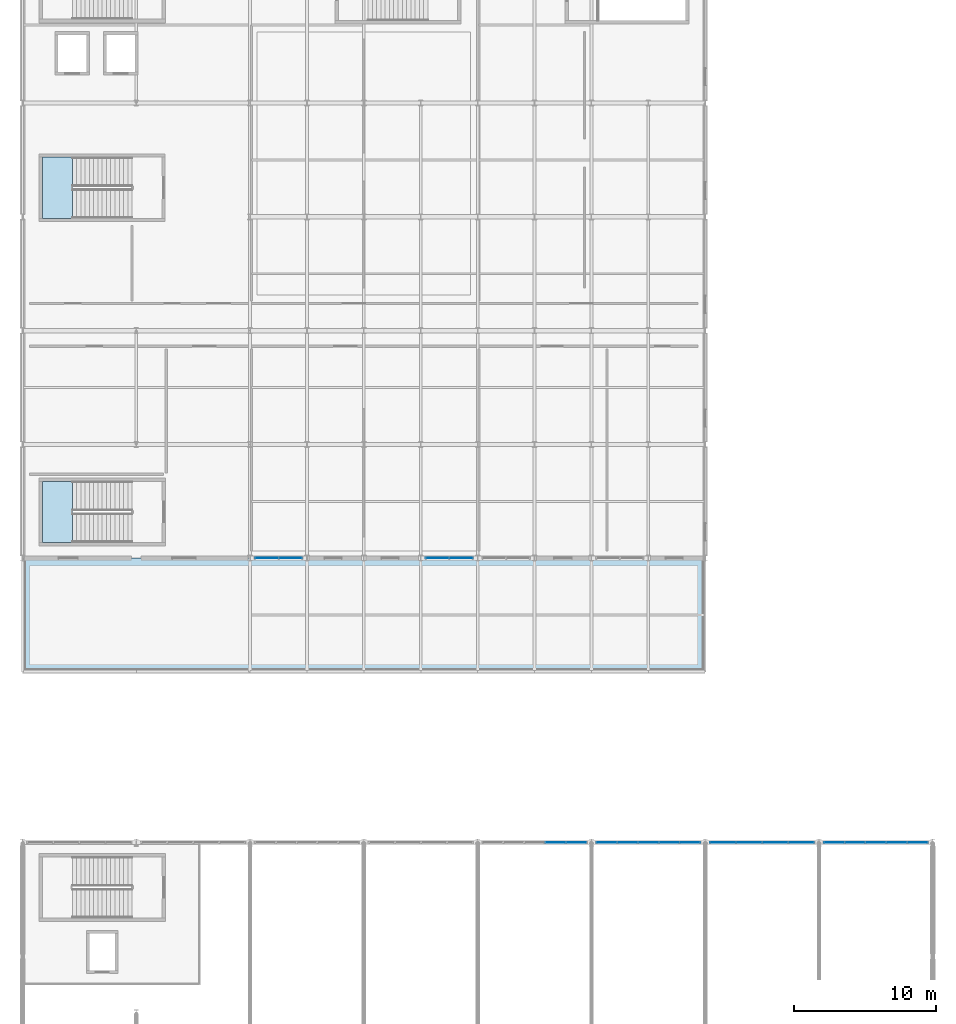
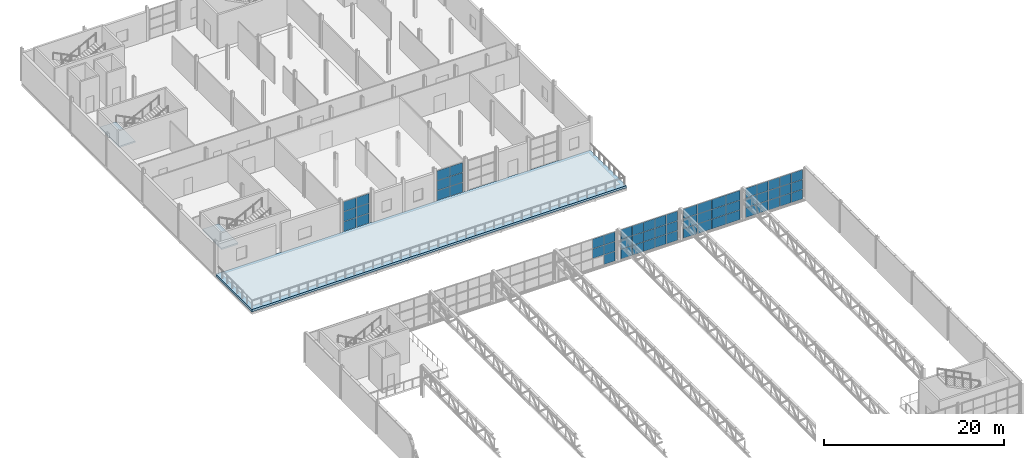
# One storey, part 56 of 67: 59 plates, 3 slabs, 8 elements without a shape of their own.
"""IFC4 building model written with IfcOpenShell, lengths in metres."""

from ifc_helpers import new_model, si_unit, derived_unit, direction, frame, origin, origin_2d, place, context, subcontext, project, spatial, polyline, rectangle, outline, extrude, material, layer, layer_set, type_object, element, aggregate, save


model = new_model("IFC4")

# Units and contexts
model_context = context("Model", 3, precision=1e-05, world=origin(), true_north=direction((0.0, 1.0)))
body_context = subcontext(model_context, "Body", "Model", "MODEL_VIEW")
ifc_project = project(units=[si_unit("LENGTHUNIT", "METRE"), si_unit("AREAUNIT", "SQUARE_METRE"), si_unit("VOLUMEUNIT", "CUBIC_METRE"), si_unit("PLANEANGLEUNIT", "RADIAN"), si_unit("MASSUNIT", "GRAM", prefix="KILO"), derived_unit("THERMALTRANSMITTANCEUNIT", [(si_unit("POWERUNIT", "WATT"), 1), (si_unit("LENGTHUNIT", "METRE"), -2), (si_unit("THERMODYNAMICTEMPERATUREUNIT", "KELVIN"), -1)])], contexts=[model_context])

# Site, building, storey
site_placement = place(None, origin())
site = spatial("IfcSite", under=ifc_project, at=site_placement, CompositionType="ELEMENT")
building_placement = place(site_placement, origin())
building = spatial("IfcBuilding", under=site, at=building_placement, Name="Keldorne Ridge Multi-Sports Centre", CompositionType="ELEMENT")
storey_placement = place(building_placement, frame((0.0, 0.0, 14.0)))
storey = spatial("IfcBuildingStorey", under=building, at=storey_placement, Name="L03", CompositionType="ELEMENT", Elevation=14.0)

# Curtain wall, plates
ifc_material_1 = material(Name="Anodized aluminium", Category="aluminium")
curtain_wall_type_1 = type_object("IfcCurtainWallType", Name="CW-CW-06", PredefinedType="NOTDEFINED", material=ifc_material_1)
curtain_wall_1_placement = place(storey_placement, origin())
curtain_wall_1 = element("IfcCurtainWall", 1, at=curtain_wall_1_placement, inside=storey, type_object=curtain_wall_type_1, Name="Upper Courts north clerestory 118", PredefinedType="NOTDEFINED")
ifc_material_2 = material(Name="Double low-e insulated glazing", Category="glass")
ifc_layer_1 = layer(ifc_material_2, 0.035888671875)
ifc_layer_set_1 = layer_set([ifc_layer_1])
plate_type = type_object("IfcPlateType", Name="PLT-GL-01", PredefinedType="CURTAIN_PANEL", material=ifc_layer_set_1)
plate_1_placement = place(storey_placement, frame((142.927978515625, 54.0, 0.02001953125), z_axis=(0.0, 0.0, 1.0), x_axis=(-1.0, 0.0, 0.0)))
plate_1 = element("IfcPlate", 2, at=plate_1_placement, type_object=plate_type, Name="CW-118 glazed panel 1.1", PredefinedType="CURTAIN_PANEL", context=body_context, shape_type="SweptSolid", body=[
    extrude(rectangle(XDim=1.424072265625, YDim=0.035888671875, at=origin_2d()), origin(), (0.0, 0.0, 1.0), 1.293212890625),
])
plate_2_placement = place(storey_placement, frame((142.927978515625, 54.0, 1.353515625), z_axis=(0.0, 0.0, 1.0), x_axis=(-1.0, 0.0, 0.0)))
plate_2 = element("IfcPlate", 3, at=plate_2_placement, type_object=plate_type, Name="CW-118 glazed panel 1.2", PredefinedType="CURTAIN_PANEL", context=body_context, shape_type="SweptSolid", body=[
    extrude(rectangle(XDim=1.424072265625, YDim=0.035888671875, at=origin_2d()), origin(), (0.0, 0.0, 1.0), 1.293212890625),
])
plate_3_placement = place(storey_placement, frame((142.927978515625, 54.0, 2.6865234375), z_axis=(0.0, 0.0, 1.0), x_axis=(-1.0, 0.0, 0.0)))
plate_3 = element("IfcPlate", 4, at=plate_3_placement, type_object=plate_type, Name="CW-118 glazed panel 1.3", PredefinedType="CURTAIN_PANEL", context=body_context, shape_type="SweptSolid", body=[
    extrude(rectangle(XDim=1.424072265625, YDim=0.035888671875, at=origin_2d()), origin(), (0.0, 0.0, 1.0), 1.293212890625),
])
plate_4_placement = place(storey_placement, frame((141.464111328125, 54.0, 1.353515625), z_axis=(0.0, 0.0, 1.0), x_axis=(-1.0, 0.0, 0.0)))
plate_4 = element("IfcPlate", 5, at=plate_4_placement, type_object=plate_type, Name="CW-118 glazed panel 2.2", PredefinedType="CURTAIN_PANEL", context=body_context, shape_type="SweptSolid", body=[
    extrude(rectangle(XDim=1.424072265625, YDim=0.035888671875, at=origin_2d()), origin(), (0.0, 0.0, 1.0), 1.293212890625),
])
plate_5_placement = place(storey_placement, frame((141.464111328125, 54.0, 2.6865234375), z_axis=(0.0, 0.0, 1.0), x_axis=(-1.0, 0.0, 0.0)))
plate_5 = element("IfcPlate", 6, at=plate_5_placement, type_object=plate_type, Name="CW-118 glazed panel 2.3", PredefinedType="CURTAIN_PANEL", context=body_context, shape_type="SweptSolid", body=[
    extrude(rectangle(XDim=1.424072265625, YDim=0.035888671875, at=origin_2d()), origin(), (0.0, 0.0, 1.0), 1.293212890625),
])
aggregate(curtain_wall_1, [plate_1, plate_2, plate_3, plate_4, plate_5])

curtain_wall_type_2 = type_object("IfcCurtainWallType", Name="CW-CW-04", PredefinedType="NOTDEFINED", material=ifc_material_1)
curtain_wall_2_placement = place(storey_placement, origin())
curtain_wall_2 = element("IfcCurtainWall", 7, at=curtain_wall_2_placement, inside=storey, type_object=curtain_wall_type_2, Name="Upper Courts north clerestory 124", PredefinedType="NOTDEFINED")
plate_6_placement = place(storey_placement, frame((150.927978515625, 54.0, 0.02001953125), z_axis=(0.0, 0.0, 1.0), x_axis=(-1.0, 0.0, 0.0)))
plate_6 = element("IfcPlate", 8, at=plate_6_placement, type_object=plate_type, Name="CW-124 glazed panel 1.1", PredefinedType="CURTAIN_PANEL", context=body_context, shape_type="SweptSolid", body=[
    extrude(rectangle(XDim=1.424072265625, YDim=0.035888671875, at=origin_2d()), origin(), (0.0, 0.0, 1.0), 1.293212890625),
])
plate_7_placement = place(storey_placement, frame((150.927978515625, 54.0, 1.353515625), z_axis=(0.0, 0.0, 1.0), x_axis=(-1.0, 0.0, 0.0)))
plate_7 = element("IfcPlate", 9, at=plate_7_placement, type_object=plate_type, Name="CW-124 glazed panel 1.2", PredefinedType="CURTAIN_PANEL", context=body_context, shape_type="SweptSolid", body=[
    extrude(rectangle(XDim=1.424072265625, YDim=0.035888671875, at=origin_2d()), origin(), (0.0, 0.0, 1.0), 1.293212890625),
])
plate_8_placement = place(storey_placement, frame((150.927978515625, 54.0, 2.6865234375), z_axis=(0.0, 0.0, 1.0), x_axis=(-1.0, 0.0, 0.0)))
plate_8 = element("IfcPlate", 10, at=plate_8_placement, type_object=plate_type, Name="CW-124 glazed panel 1.3", PredefinedType="CURTAIN_PANEL", context=body_context, shape_type="SweptSolid", body=[
    extrude(rectangle(XDim=1.424072265625, YDim=0.035888671875, at=origin_2d()), origin(), (0.0, 0.0, 1.0), 1.293212890625),
])
plate_9_placement = place(storey_placement, frame((149.464111328125, 54.0, 0.02001953125), z_axis=(0.0, 0.0, 1.0), x_axis=(-1.0, 0.0, 0.0)))
plate_9 = element("IfcPlate", 11, at=plate_9_placement, type_object=plate_type, Name="CW-124 glazed panel 2.1", PredefinedType="CURTAIN_PANEL", context=body_context, shape_type="SweptSolid", body=[
    extrude(rectangle(XDim=1.424072265625, YDim=0.035888671875, at=origin_2d()), origin(), (0.0, 0.0, 1.0), 1.293212890625),
])
plate_10_placement = place(storey_placement, frame((149.464111328125, 54.0, 1.353515625), z_axis=(0.0, 0.0, 1.0), x_axis=(-1.0, 0.0, 0.0)))
plate_10 = element("IfcPlate", 12, at=plate_10_placement, type_object=plate_type, Name="CW-124 glazed panel 2.2", PredefinedType="CURTAIN_PANEL", context=body_context, shape_type="SweptSolid", body=[
    extrude(rectangle(XDim=1.424072265625, YDim=0.035888671875, at=origin_2d()), origin(), (0.0, 0.0, 1.0), 1.293212890625),
])
plate_11_placement = place(storey_placement, frame((149.464111328125, 54.0, 2.6865234375), z_axis=(0.0, 0.0, 1.0), x_axis=(-1.0, 0.0, 0.0)))
plate_11 = element("IfcPlate", 13, at=plate_11_placement, type_object=plate_type, Name="CW-124 glazed panel 2.3", PredefinedType="CURTAIN_PANEL", context=body_context, shape_type="SweptSolid", body=[
    extrude(rectangle(XDim=1.424072265625, YDim=0.035888671875, at=origin_2d()), origin(), (0.0, 0.0, 1.0), 1.293212890625),
])
plate_12_placement = place(storey_placement, frame((148.0, 54.0, 0.02001953125), z_axis=(0.0, 0.0, 1.0), x_axis=(-1.0, 0.0, 0.0)))
plate_12 = element("IfcPlate", 14, at=plate_12_placement, type_object=plate_type, Name="CW-124 glazed panel 3.1", PredefinedType="CURTAIN_PANEL", context=body_context, shape_type="SweptSolid", body=[
    extrude(rectangle(XDim=1.424072265625, YDim=0.035888671875, at=origin_2d()), origin(), (0.0, 0.0, 1.0), 1.293212890625),
])
plate_13_placement = place(storey_placement, frame((148.0, 54.0, 1.353515625), z_axis=(0.0, 0.0, 1.0), x_axis=(-1.0, 0.0, 0.0)))
plate_13 = element("IfcPlate", 15, at=plate_13_placement, type_object=plate_type, Name="CW-124 glazed panel 3.2", PredefinedType="CURTAIN_PANEL", context=body_context, shape_type="SweptSolid", body=[
    extrude(rectangle(XDim=1.424072265625, YDim=0.035888671875, at=origin_2d()), origin(), (0.0, 0.0, 1.0), 1.293212890625),
])
plate_14_placement = place(storey_placement, frame((148.0, 54.0, 2.6865234375), z_axis=(0.0, 0.0, 1.0), x_axis=(-1.0, 0.0, 0.0)))
plate_14 = element("IfcPlate", 16, at=plate_14_placement, type_object=plate_type, Name="CW-124 glazed panel 3.3", PredefinedType="CURTAIN_PANEL", context=body_context, shape_type="SweptSolid", body=[
    extrude(rectangle(XDim=1.424072265625, YDim=0.035888671875, at=origin_2d()), origin(), (0.0, 0.0, 1.0), 1.293212890625),
])
plate_15_placement = place(storey_placement, frame((146.535888671875, 54.0, 0.02001953125), z_axis=(0.0, 0.0, 1.0), x_axis=(-1.0, 0.0, 0.0)))
plate_15 = element("IfcPlate", 17, at=plate_15_placement, type_object=plate_type, Name="CW-124 glazed panel 4.1", PredefinedType="CURTAIN_PANEL", context=body_context, shape_type="SweptSolid", body=[
    extrude(rectangle(XDim=1.424072265625, YDim=0.035888671875, at=origin_2d()), origin(), (0.0, 0.0, 1.0), 1.293212890625),
])
plate_16_placement = place(storey_placement, frame((146.535888671875, 54.0, 1.353515625), z_axis=(0.0, 0.0, 1.0), x_axis=(-1.0, 0.0, 0.0)))
plate_16 = element("IfcPlate", 18, at=plate_16_placement, type_object=plate_type, Name="CW-124 glazed panel 4.2", PredefinedType="CURTAIN_PANEL", context=body_context, shape_type="SweptSolid", body=[
    extrude(rectangle(XDim=1.424072265625, YDim=0.035888671875, at=origin_2d()), origin(), (0.0, 0.0, 1.0), 1.293212890625),
])
plate_17_placement = place(storey_placement, frame((146.535888671875, 54.0, 2.6865234375), z_axis=(0.0, 0.0, 1.0), x_axis=(-1.0, 0.0, 0.0)))
plate_17 = element("IfcPlate", 19, at=plate_17_placement, type_object=plate_type, Name="CW-124 glazed panel 4.3", PredefinedType="CURTAIN_PANEL", context=body_context, shape_type="SweptSolid", body=[
    extrude(rectangle(XDim=1.424072265625, YDim=0.035888671875, at=origin_2d()), origin(), (0.0, 0.0, 1.0), 1.293212890625),
])
plate_18_placement = place(storey_placement, frame((145.072021484375, 54.0, 0.02001953125), z_axis=(0.0, 0.0, 1.0), x_axis=(-1.0, 0.0, 0.0)))
plate_18 = element("IfcPlate", 20, at=plate_18_placement, type_object=plate_type, Name="CW-124 glazed panel 5.1", PredefinedType="CURTAIN_PANEL", context=body_context, shape_type="SweptSolid", body=[
    extrude(rectangle(XDim=1.424072265625, YDim=0.035888671875, at=origin_2d()), origin(), (0.0, 0.0, 1.0), 1.293212890625),
])
plate_19_placement = place(storey_placement, frame((145.072021484375, 54.0, 1.353515625), z_axis=(0.0, 0.0, 1.0), x_axis=(-1.0, 0.0, 0.0)))
plate_19 = element("IfcPlate", 21, at=plate_19_placement, type_object=plate_type, Name="CW-124 glazed panel 5.2", PredefinedType="CURTAIN_PANEL", context=body_context, shape_type="SweptSolid", body=[
    extrude(rectangle(XDim=1.424072265625, YDim=0.035888671875, at=origin_2d()), origin(), (0.0, 0.0, 1.0), 1.293212890625),
])
plate_20_placement = place(storey_placement, frame((145.072021484375, 54.0, 2.6865234375), z_axis=(0.0, 0.0, 1.0), x_axis=(-1.0, 0.0, 0.0)))
plate_20 = element("IfcPlate", 22, at=plate_20_placement, type_object=plate_type, Name="CW-124 glazed panel 5.3", PredefinedType="CURTAIN_PANEL", context=body_context, shape_type="SweptSolid", body=[
    extrude(rectangle(XDim=1.424072265625, YDim=0.035888671875, at=origin_2d()), origin(), (0.0, 0.0, 1.0), 1.293212890625),
])
aggregate(curtain_wall_2, [plate_6, plate_7, plate_8, plate_9, plate_10, plate_11, plate_12, plate_13, plate_14, plate_15, plate_16, plate_17, plate_18, plate_19, plate_20])

curtain_wall_type_3 = type_object("IfcCurtainWallType", Name="CW-CW-03", PredefinedType="NOTDEFINED", material=ifc_material_1)
curtain_wall_3_placement = place(storey_placement, origin())
curtain_wall_3 = element("IfcCurtainWall", 23, at=curtain_wall_3_placement, inside=storey, type_object=curtain_wall_type_3, Name="Upper Courts north clerestory 131", PredefinedType="NOTDEFINED")
plate_21_placement = place(storey_placement, frame((158.7451171875, 54.0, 0.02001953125), z_axis=(0.0, 0.0, 1.0), x_axis=(-1.0, 0.0, 0.0)))
plate_21 = element("IfcPlate", 24, at=plate_21_placement, type_object=plate_type, Name="CW-131 glazed panel 1.1", PredefinedType="CURTAIN_PANEL", context=body_context, shape_type="SweptSolid", body=[
    extrude(rectangle(XDim=1.7900390625, YDim=0.035888671875, at=origin_2d()), origin(), (0.0, 0.0, 1.0), 1.293212890625),
])
plate_22_placement = place(storey_placement, frame((158.7451171875, 54.0, 1.353515625), z_axis=(0.0, 0.0, 1.0), x_axis=(-1.0, 0.0, 0.0)))
plate_22 = element("IfcPlate", 25, at=plate_22_placement, type_object=plate_type, Name="CW-131 glazed panel 1.2", PredefinedType="CURTAIN_PANEL", context=body_context, shape_type="SweptSolid", body=[
    extrude(rectangle(XDim=1.7900390625, YDim=0.035888671875, at=origin_2d()), origin(), (0.0, 0.0, 1.0), 1.293212890625),
])
plate_23_placement = place(storey_placement, frame((158.7451171875, 54.0, 2.6865234375), z_axis=(0.0, 0.0, 1.0), x_axis=(-1.0, 0.0, 0.0)))
plate_23 = element("IfcPlate", 26, at=plate_23_placement, type_object=plate_type, Name="CW-131 glazed panel 1.3", PredefinedType="CURTAIN_PANEL", context=body_context, shape_type="SweptSolid", body=[
    extrude(rectangle(XDim=1.7900390625, YDim=0.035888671875, at=origin_2d()), origin(), (0.0, 0.0, 1.0), 1.293212890625),
])
plate_24_placement = place(storey_placement, frame((156.9150390625, 54.0, 0.02001953125), z_axis=(0.0, 0.0, 1.0), x_axis=(-1.0, 0.0, 0.0)))
plate_24 = element("IfcPlate", 27, at=plate_24_placement, type_object=plate_type, Name="CW-131 glazed panel 2.1", PredefinedType="CURTAIN_PANEL", context=body_context, shape_type="SweptSolid", body=[
    extrude(rectangle(XDim=1.7900390625, YDim=0.035888671875, at=origin_2d()), origin(), (0.0, 0.0, 1.0), 1.293212890625),
])
plate_25_placement = place(storey_placement, frame((156.9150390625, 54.0, 1.353515625), z_axis=(0.0, 0.0, 1.0), x_axis=(-1.0, 0.0, 0.0)))
plate_25 = element("IfcPlate", 28, at=plate_25_placement, type_object=plate_type, Name="CW-131 glazed panel 2.2", PredefinedType="CURTAIN_PANEL", context=body_context, shape_type="SweptSolid", body=[
    extrude(rectangle(XDim=1.7900390625, YDim=0.035888671875, at=origin_2d()), origin(), (0.0, 0.0, 1.0), 1.293212890625),
])
plate_26_placement = place(storey_placement, frame((156.9150390625, 54.0, 2.6865234375), z_axis=(0.0, 0.0, 1.0), x_axis=(-1.0, 0.0, 0.0)))
plate_26 = element("IfcPlate", 29, at=plate_26_placement, type_object=plate_type, Name="CW-131 glazed panel 2.3", PredefinedType="CURTAIN_PANEL", context=body_context, shape_type="SweptSolid", body=[
    extrude(rectangle(XDim=1.7900390625, YDim=0.035888671875, at=origin_2d()), origin(), (0.0, 0.0, 1.0), 1.293212890625),
])
plate_27_placement = place(storey_placement, frame((155.0849609375, 54.0, 0.02001953125), z_axis=(0.0, 0.0, 1.0), x_axis=(-1.0, 0.0, 0.0)))
plate_27 = element("IfcPlate", 30, at=plate_27_placement, type_object=plate_type, Name="CW-131 glazed panel 3.1", PredefinedType="CURTAIN_PANEL", context=body_context, shape_type="SweptSolid", body=[
    extrude(rectangle(XDim=1.7900390625, YDim=0.035888671875, at=origin_2d()), origin(), (0.0, 0.0, 1.0), 1.293212890625),
])
plate_28_placement = place(storey_placement, frame((155.0849609375, 54.0, 1.353515625), z_axis=(0.0, 0.0, 1.0), x_axis=(-1.0, 0.0, 0.0)))
plate_28 = element("IfcPlate", 31, at=plate_28_placement, type_object=plate_type, Name="CW-131 glazed panel 3.2", PredefinedType="CURTAIN_PANEL", context=body_context, shape_type="SweptSolid", body=[
    extrude(rectangle(XDim=1.7900390625, YDim=0.035888671875, at=origin_2d()), origin(), (0.0, 0.0, 1.0), 1.293212890625),
])
plate_29_placement = place(storey_placement, frame((155.0849609375, 54.0, 2.6865234375), z_axis=(0.0, 0.0, 1.0), x_axis=(-1.0, 0.0, 0.0)))
plate_29 = element("IfcPlate", 32, at=plate_29_placement, type_object=plate_type, Name="CW-131 glazed panel 3.3", PredefinedType="CURTAIN_PANEL", context=body_context, shape_type="SweptSolid", body=[
    extrude(rectangle(XDim=1.7900390625, YDim=0.035888671875, at=origin_2d()), origin(), (0.0, 0.0, 1.0), 1.293212890625),
])
plate_30_placement = place(storey_placement, frame((153.2548828125, 54.0, 0.02001953125), z_axis=(0.0, 0.0, 1.0), x_axis=(-1.0, 0.0, 0.0)))
plate_30 = element("IfcPlate", 33, at=plate_30_placement, type_object=plate_type, Name="CW-131 glazed panel 4.1", PredefinedType="CURTAIN_PANEL", context=body_context, shape_type="SweptSolid", body=[
    extrude(rectangle(XDim=1.7900390625, YDim=0.035888671875, at=origin_2d()), origin(), (0.0, 0.0, 1.0), 1.293212890625),
])
plate_31_placement = place(storey_placement, frame((153.2548828125, 54.0, 1.353515625), z_axis=(0.0, 0.0, 1.0), x_axis=(-1.0, 0.0, 0.0)))
plate_31 = element("IfcPlate", 34, at=plate_31_placement, type_object=plate_type, Name="CW-131 glazed panel 4.2", PredefinedType="CURTAIN_PANEL", context=body_context, shape_type="SweptSolid", body=[
    extrude(rectangle(XDim=1.7900390625, YDim=0.035888671875, at=origin_2d()), origin(), (0.0, 0.0, 1.0), 1.293212890625),
])
plate_32_placement = place(storey_placement, frame((153.2548828125, 54.0, 2.6865234375), z_axis=(0.0, 0.0, 1.0), x_axis=(-1.0, 0.0, 0.0)))
plate_32 = element("IfcPlate", 35, at=plate_32_placement, type_object=plate_type, Name="CW-131 glazed panel 4.3", PredefinedType="CURTAIN_PANEL", context=body_context, shape_type="SweptSolid", body=[
    extrude(rectangle(XDim=1.7900390625, YDim=0.035888671875, at=origin_2d()), origin(), (0.0, 0.0, 1.0), 1.293212890625),
])
aggregate(curtain_wall_3, [plate_21, plate_22, plate_23, plate_24, plate_25, plate_26, plate_27, plate_28, plate_29, plate_30, plate_31, plate_32])

curtain_wall_type_4 = type_object("IfcCurtainWallType", Name="CW-CW-02", PredefinedType="NOTDEFINED", material=ifc_material_1)
curtain_wall_4_placement = place(storey_placement, origin())
curtain_wall_4 = element("IfcCurtainWall", 36, at=curtain_wall_4_placement, inside=storey, type_object=curtain_wall_type_4, Name="Upper Courts north clerestory 138", PredefinedType="NOTDEFINED")
plate_33_placement = place(storey_placement, frame((166.927978515625, 54.0, 0.02001953125), z_axis=(0.0, 0.0, 1.0), x_axis=(-1.0, 0.0, 0.0)))
plate_33 = element("IfcPlate", 37, at=plate_33_placement, type_object=plate_type, Name="CW-138 glazed panel 1.1", PredefinedType="CURTAIN_PANEL", context=body_context, shape_type="SweptSolid", body=[
    extrude(rectangle(XDim=1.424072265625, YDim=0.035888671875, at=origin_2d()), origin(), (0.0, 0.0, 1.0), 1.293212890625),
])
plate_34_placement = place(storey_placement, frame((166.927978515625, 54.0, 1.353515625), z_axis=(0.0, 0.0, 1.0), x_axis=(-1.0, 0.0, 0.0)))
plate_34 = element("IfcPlate", 38, at=plate_34_placement, type_object=plate_type, Name="CW-138 glazed panel 1.2", PredefinedType="CURTAIN_PANEL", context=body_context, shape_type="SweptSolid", body=[
    extrude(rectangle(XDim=1.424072265625, YDim=0.035888671875, at=origin_2d()), origin(), (0.0, 0.0, 1.0), 1.293212890625),
])
plate_35_placement = place(storey_placement, frame((166.927978515625, 54.0, 2.6865234375), z_axis=(0.0, 0.0, 1.0), x_axis=(-1.0, 0.0, 0.0)))
plate_35 = element("IfcPlate", 39, at=plate_35_placement, type_object=plate_type, Name="CW-138 glazed panel 1.3", PredefinedType="CURTAIN_PANEL", context=body_context, shape_type="SweptSolid", body=[
    extrude(rectangle(XDim=1.424072265625, YDim=0.035888671875, at=origin_2d()), origin(), (0.0, 0.0, 1.0), 1.293212890625),
])
plate_36_placement = place(storey_placement, frame((165.464111328125, 54.0, 0.02001953125), z_axis=(0.0, 0.0, 1.0), x_axis=(-1.0, 0.0, 0.0)))
plate_36 = element("IfcPlate", 40, at=plate_36_placement, type_object=plate_type, Name="CW-138 glazed panel 2.1", PredefinedType="CURTAIN_PANEL", context=body_context, shape_type="SweptSolid", body=[
    extrude(rectangle(XDim=1.424072265625, YDim=0.035888671875, at=origin_2d()), origin(), (0.0, 0.0, 1.0), 1.293212890625),
])
plate_37_placement = place(storey_placement, frame((165.464111328125, 54.0, 1.353515625), z_axis=(0.0, 0.0, 1.0), x_axis=(-1.0, 0.0, 0.0)))
plate_37 = element("IfcPlate", 41, at=plate_37_placement, type_object=plate_type, Name="CW-138 glazed panel 2.2", PredefinedType="CURTAIN_PANEL", context=body_context, shape_type="SweptSolid", body=[
    extrude(rectangle(XDim=1.424072265625, YDim=0.035888671875, at=origin_2d()), origin(), (0.0, 0.0, 1.0), 1.293212890625),
])
plate_38_placement = place(storey_placement, frame((165.464111328125, 54.0, 2.6865234375), z_axis=(0.0, 0.0, 1.0), x_axis=(-1.0, 0.0, 0.0)))
plate_38 = element("IfcPlate", 42, at=plate_38_placement, type_object=plate_type, Name="CW-138 glazed panel 2.3", PredefinedType="CURTAIN_PANEL", context=body_context, shape_type="SweptSolid", body=[
    extrude(rectangle(XDim=1.424072265625, YDim=0.035888671875, at=origin_2d()), origin(), (0.0, 0.0, 1.0), 1.293212890625),
])
plate_39_placement = place(storey_placement, frame((164.0, 54.0, 0.02001953125), z_axis=(0.0, 0.0, 1.0), x_axis=(-1.0, 0.0, 0.0)))
plate_39 = element("IfcPlate", 43, at=plate_39_placement, type_object=plate_type, Name="CW-138 glazed panel 3.1", PredefinedType="CURTAIN_PANEL", context=body_context, shape_type="SweptSolid", body=[
    extrude(rectangle(XDim=1.424072265625, YDim=0.035888671875, at=origin_2d()), origin(), (0.0, 0.0, 1.0), 1.293212890625),
])
plate_40_placement = place(storey_placement, frame((164.0, 54.0, 1.353515625), z_axis=(0.0, 0.0, 1.0), x_axis=(-1.0, 0.0, 0.0)))
plate_40 = element("IfcPlate", 44, at=plate_40_placement, type_object=plate_type, Name="CW-138 glazed panel 3.2", PredefinedType="CURTAIN_PANEL", context=body_context, shape_type="SweptSolid", body=[
    extrude(rectangle(XDim=1.424072265625, YDim=0.035888671875, at=origin_2d()), origin(), (0.0, 0.0, 1.0), 1.293212890625),
])
plate_41_placement = place(storey_placement, frame((164.0, 54.0, 2.6865234375), z_axis=(0.0, 0.0, 1.0), x_axis=(-1.0, 0.0, 0.0)))
plate_41 = element("IfcPlate", 45, at=plate_41_placement, type_object=plate_type, Name="CW-138 glazed panel 3.3", PredefinedType="CURTAIN_PANEL", context=body_context, shape_type="SweptSolid", body=[
    extrude(rectangle(XDim=1.424072265625, YDim=0.035888671875, at=origin_2d()), origin(), (0.0, 0.0, 1.0), 1.293212890625),
])
plate_42_placement = place(storey_placement, frame((162.535888671875, 54.0, 0.02001953125), z_axis=(0.0, 0.0, 1.0), x_axis=(-1.0, 0.0, 0.0)))
plate_42 = element("IfcPlate", 46, at=plate_42_placement, type_object=plate_type, Name="CW-138 glazed panel 4.1", PredefinedType="CURTAIN_PANEL", context=body_context, shape_type="SweptSolid", body=[
    extrude(rectangle(XDim=1.424072265625, YDim=0.035888671875, at=origin_2d()), origin(), (0.0, 0.0, 1.0), 1.293212890625),
])
plate_43_placement = place(storey_placement, frame((162.535888671875, 54.0, 1.353515625), z_axis=(0.0, 0.0, 1.0), x_axis=(-1.0, 0.0, 0.0)))
plate_43 = element("IfcPlate", 47, at=plate_43_placement, type_object=plate_type, Name="CW-138 glazed panel 4.2", PredefinedType="CURTAIN_PANEL", context=body_context, shape_type="SweptSolid", body=[
    extrude(rectangle(XDim=1.424072265625, YDim=0.035888671875, at=origin_2d()), origin(), (0.0, 0.0, 1.0), 1.293212890625),
])
plate_44_placement = place(storey_placement, frame((162.535888671875, 54.0, 2.6865234375), z_axis=(0.0, 0.0, 1.0), x_axis=(-1.0, 0.0, 0.0)))
plate_44 = element("IfcPlate", 48, at=plate_44_placement, type_object=plate_type, Name="CW-138 glazed panel 4.3", PredefinedType="CURTAIN_PANEL", context=body_context, shape_type="SweptSolid", body=[
    extrude(rectangle(XDim=1.424072265625, YDim=0.035888671875, at=origin_2d()), origin(), (0.0, 0.0, 1.0), 1.293212890625),
])
plate_45_placement = place(storey_placement, frame((161.072021484375, 54.0, 0.02001953125), z_axis=(0.0, 0.0, 1.0), x_axis=(-1.0, 0.0, 0.0)))
plate_45 = element("IfcPlate", 49, at=plate_45_placement, type_object=plate_type, Name="CW-138 glazed panel 5.1", PredefinedType="CURTAIN_PANEL", context=body_context, shape_type="SweptSolid", body=[
    extrude(rectangle(XDim=1.424072265625, YDim=0.035888671875, at=origin_2d()), origin(), (0.0, 0.0, 1.0), 1.293212890625),
])
plate_46_placement = place(storey_placement, frame((161.072021484375, 54.0, 1.353515625), z_axis=(0.0, 0.0, 1.0), x_axis=(-1.0, 0.0, 0.0)))
plate_46 = element("IfcPlate", 50, at=plate_46_placement, type_object=plate_type, Name="CW-138 glazed panel 5.2", PredefinedType="CURTAIN_PANEL", context=body_context, shape_type="SweptSolid", body=[
    extrude(rectangle(XDim=1.424072265625, YDim=0.035888671875, at=origin_2d()), origin(), (0.0, 0.0, 1.0), 1.293212890625),
])
plate_47_placement = place(storey_placement, frame((161.072021484375, 54.0, 2.6865234375), z_axis=(0.0, 0.0, 1.0), x_axis=(-1.0, 0.0, 0.0)))
plate_47 = element("IfcPlate", 51, at=plate_47_placement, type_object=plate_type, Name="CW-138 glazed panel 5.3", PredefinedType="CURTAIN_PANEL", context=body_context, shape_type="SweptSolid", body=[
    extrude(rectangle(XDim=1.424072265625, YDim=0.035888671875, at=origin_2d()), origin(), (0.0, 0.0, 1.0), 1.293212890625),
])
aggregate(curtain_wall_4, [plate_33, plate_34, plate_35, plate_36, plate_37, plate_38, plate_39, plate_40, plate_41, plate_42, plate_43, plate_44, plate_45, plate_46, plate_47])

curtain_wall_type_5 = type_object("IfcCurtainWallType", Name="CW-CW-01", PredefinedType="NOTDEFINED", material=ifc_material_1)
curtain_wall_5_placement = place(storey_placement, origin())
curtain_wall_5 = element("IfcCurtainWall", 52, at=curtain_wall_5_placement, inside=storey, type_object=curtain_wall_type_5, Name="East Wing L03 south curtain wall 153", PredefinedType="NOTDEFINED")
plate_48_placement = place(storey_placement, frame((121.169921875, 74.0, 0.02001953125), z_axis=(0.0, 0.0, 1.0), x_axis=(1.0, 0.0, 0.0)))
plate_48 = element("IfcPlate", 53, at=plate_48_placement, type_object=plate_type, Name="CW-153 glazed panel 1.1", PredefinedType="CURTAIN_PANEL", context=body_context, shape_type="SweptSolid", body=[
    extrude(rectangle(XDim=1.6201171875, YDim=0.035888671875, at=origin_2d()), origin(), (0.0, 0.0, 1.0), 1.31005859375),
])
plate_49_placement = place(storey_placement, frame((121.169921875, 74.0, 1.369873046875), z_axis=(0.0, 0.0, 1.0), x_axis=(1.0, 0.0, 0.0)))
plate_49 = element("IfcPlate", 54, at=plate_49_placement, type_object=plate_type, Name="CW-153 glazed panel 1.2", PredefinedType="CURTAIN_PANEL", context=body_context, shape_type="SweptSolid", body=[
    extrude(rectangle(XDim=1.6201171875, YDim=0.035888671875, at=origin_2d()), origin(), (0.0, 0.0, 1.0), 1.31005859375),
])
plate_50_placement = place(storey_placement, frame((121.169921875, 74.0, 2.719970703125), z_axis=(0.0, 0.0, 1.0), x_axis=(1.0, 0.0, 0.0)))
plate_50 = element("IfcPlate", 55, at=plate_50_placement, type_object=plate_type, Name="CW-153 glazed panel 1.3", PredefinedType="CURTAIN_PANEL", context=body_context, shape_type="SweptSolid", body=[
    extrude(rectangle(XDim=1.6201171875, YDim=0.035888671875, at=origin_2d()), origin(), (0.0, 0.0, 1.0), 1.31005859375),
])
plate_51_placement = place(storey_placement, frame((122.830078125, 74.0, 0.02001953125), z_axis=(0.0, 0.0, 1.0), x_axis=(1.0, 0.0, 0.0)))
plate_51 = element("IfcPlate", 56, at=plate_51_placement, type_object=plate_type, Name="CW-153 glazed panel 2.1", PredefinedType="CURTAIN_PANEL", context=body_context, shape_type="SweptSolid", body=[
    extrude(rectangle(XDim=1.6201171875, YDim=0.035888671875, at=origin_2d()), origin(), (0.0, 0.0, 1.0), 1.31005859375),
])
plate_52_placement = place(storey_placement, frame((122.830078125, 74.0, 1.369873046875), z_axis=(0.0, 0.0, 1.0), x_axis=(1.0, 0.0, 0.0)))
plate_52 = element("IfcPlate", 57, at=plate_52_placement, type_object=plate_type, Name="CW-153 glazed panel 2.2", PredefinedType="CURTAIN_PANEL", context=body_context, shape_type="SweptSolid", body=[
    extrude(rectangle(XDim=1.6201171875, YDim=0.035888671875, at=origin_2d()), origin(), (0.0, 0.0, 1.0), 1.31005859375),
])
plate_53_placement = place(storey_placement, frame((122.830078125, 74.0, 2.719970703125), z_axis=(0.0, 0.0, 1.0), x_axis=(1.0, 0.0, 0.0)))
plate_53 = element("IfcPlate", 58, at=plate_53_placement, type_object=plate_type, Name="CW-153 glazed panel 2.3", PredefinedType="CURTAIN_PANEL", context=body_context, shape_type="SweptSolid", body=[
    extrude(rectangle(XDim=1.6201171875, YDim=0.035888671875, at=origin_2d()), origin(), (0.0, 0.0, 1.0), 1.31005859375),
])
aggregate(curtain_wall_5, [plate_48, plate_49, plate_50, plate_51, plate_52, plate_53])

curtain_wall_6_placement = place(storey_placement, origin())
curtain_wall_6 = element("IfcCurtainWall", 59, at=curtain_wall_6_placement, inside=storey, type_object=curtain_wall_type_4, Name="East Wing L03 south curtain wall 154", PredefinedType="NOTDEFINED")
plate_54_placement = place(storey_placement, frame((133.169921875, 74.0, 0.02001953125), z_axis=(0.0, 0.0, 1.0), x_axis=(1.0, 0.0, 0.0)))
plate_54 = element("IfcPlate", 60, at=plate_54_placement, type_object=plate_type, Name="CW-154 glazed panel 1.1", PredefinedType="CURTAIN_PANEL", context=body_context, shape_type="SweptSolid", body=[
    extrude(rectangle(XDim=1.6201171875, YDim=0.035888671875, at=origin_2d()), origin(), (0.0, 0.0, 1.0), 1.31005859375),
])
plate_55_placement = place(storey_placement, frame((133.169921875, 74.0, 1.369873046875), z_axis=(0.0, 0.0, 1.0), x_axis=(1.0, 0.0, 0.0)))
plate_55 = element("IfcPlate", 61, at=plate_55_placement, type_object=plate_type, Name="CW-154 glazed panel 1.2", PredefinedType="CURTAIN_PANEL", context=body_context, shape_type="SweptSolid", body=[
    extrude(rectangle(XDim=1.6201171875, YDim=0.035888671875, at=origin_2d()), origin(), (0.0, 0.0, 1.0), 1.31005859375),
])
plate_56_placement = place(storey_placement, frame((133.169921875, 74.0, 2.719970703125), z_axis=(0.0, 0.0, 1.0), x_axis=(1.0, 0.0, 0.0)))
plate_56 = element("IfcPlate", 62, at=plate_56_placement, type_object=plate_type, Name="CW-154 glazed panel 1.3", PredefinedType="CURTAIN_PANEL", context=body_context, shape_type="SweptSolid", body=[
    extrude(rectangle(XDim=1.6201171875, YDim=0.035888671875, at=origin_2d()), origin(), (0.0, 0.0, 1.0), 1.31005859375),
])
plate_57_placement = place(storey_placement, frame((134.830078125, 74.0, 0.02001953125), z_axis=(0.0, 0.0, 1.0), x_axis=(1.0, 0.0, 0.0)))
plate_57 = element("IfcPlate", 63, at=plate_57_placement, type_object=plate_type, Name="CW-154 glazed panel 2.1", PredefinedType="CURTAIN_PANEL", context=body_context, shape_type="SweptSolid", body=[
    extrude(rectangle(XDim=1.6201171875, YDim=0.035888671875, at=origin_2d()), origin(), (0.0, 0.0, 1.0), 1.31005859375),
])
plate_58_placement = place(storey_placement, frame((134.830078125, 74.0, 1.369873046875), z_axis=(0.0, 0.0, 1.0), x_axis=(1.0, 0.0, 0.0)))
plate_58 = element("IfcPlate", 64, at=plate_58_placement, type_object=plate_type, Name="CW-154 glazed panel 2.2", PredefinedType="CURTAIN_PANEL", context=body_context, shape_type="SweptSolid", body=[
    extrude(rectangle(XDim=1.6201171875, YDim=0.035888671875, at=origin_2d()), origin(), (0.0, 0.0, 1.0), 1.31005859375),
])
plate_59_placement = place(storey_placement, frame((134.830078125, 74.0, 2.719970703125), z_axis=(0.0, 0.0, 1.0), x_axis=(1.0, 0.0, 0.0)))
plate_59 = element("IfcPlate", 65, at=plate_59_placement, type_object=plate_type, Name="CW-154 glazed panel 2.3", PredefinedType="CURTAIN_PANEL", context=body_context, shape_type="SweptSolid", body=[
    extrude(rectangle(XDim=1.6201171875, YDim=0.035888671875, at=origin_2d()), origin(), (0.0, 0.0, 1.0), 1.31005859375),
])
aggregate(curtain_wall_6, [plate_54, plate_55, plate_56, plate_57, plate_58, plate_59])

# Stair, slab
ifc_material_3 = material(Name="Concrete C35/45", Category="concrete")
stair_type = type_object("IfcStairType", Name="STR-S01", PredefinedType="HALF_TURN_STAIR", material=ifc_material_3)
stair_1_placement = place(storey_placement, origin())
stair_1 = element("IfcStair", 66, at=stair_1_placement, inside=storey, type_object=stair_type, Name="L03 East Wing South Core C2", PredefinedType="HALF_TURN_STAIR")
ifc_layer_2 = layer(ifc_material_3, 0.199951171875)
ifc_layer_set_2 = layer_set([ifc_layer_2], Name="Concrete C35/45")
slab_type_1 = type_object("IfcSlabType", Name="SLB-LDG-01", PredefinedType="LANDING", material=ifc_layer_set_2)
slab_1_placement = place(storey_placement, frame((0.0, 0.0, 2.10009765625)))
slab_1 = element("IfcSlab", 67, at=slab_1_placement, type_object=slab_type_1, Name="ST-02 landing 1", PredefinedType="LANDING", context=body_context, shape_type="SweptSolid", body=[
    extrude(outline(polyline([(107.5, 79.39990234375), (105.39990234375, 79.39990234375), (105.39990234375, 75.10009765625), (107.5, 75.10009765625), (107.5, 79.39990234375)])), origin(), (0.0, 0.0, 1.0), 0.199951171875),
])
aggregate(stair_1, [slab_1])

stair_2_placement = place(storey_placement, origin())
stair_2 = element("IfcStair", 68, at=stair_2_placement, inside=storey, type_object=stair_type, Name="L03 Mid-Wing Escape Stair ST-11", PredefinedType="HALF_TURN_STAIR")
slab_2_placement = place(storey_placement, frame((0.0, 0.0, 2.10009765625)))
slab_2 = element("IfcSlab", 69, at=slab_2_placement, type_object=slab_type_1, Name="ST-11 landing 1", PredefinedType="LANDING", context=body_context, shape_type="SweptSolid", body=[
    extrude(outline(polyline([(107.5, 102.199951171875), (105.39990234375, 102.199951171875), (105.39990234375, 97.89990234375), (107.5, 97.89990234375), (107.5, 102.199951171875)])), origin(), (0.0, 0.0, 1.0), 0.199951171875),
])
aggregate(stair_2, [slab_2])

# Slab
ifc_layer_3 = layer(ifc_material_3, 0.300048828125)
ifc_layer_set_3 = layer_set([ifc_layer_3], Name="Concrete C35/45")
slab_type_2 = type_object("IfcSlabType", Name="SLB-SL-T02", PredefinedType="FLOOR", material=ifc_layer_set_3)
slab_3_placement = place(storey_placement, frame((0.0, 0.0, -0.300048828125)))
element("IfcSlab", 70, at=slab_3_placement, inside=storey, type_object=slab_type_2, Name="Third floor Stepped South Roof Garden slab", PredefinedType="FLOOR", context=body_context, shape_type="SweptSolid", body=[
    extrude(outline(polyline([(104.0, 66.0), (152.0, 66.0), (152.0, 74.0), (104.0, 74.0), (104.0, 66.0)])), origin(), (0.0, 0.0, 1.0), 0.300048828125),
])

save(model, "model.ifc")
